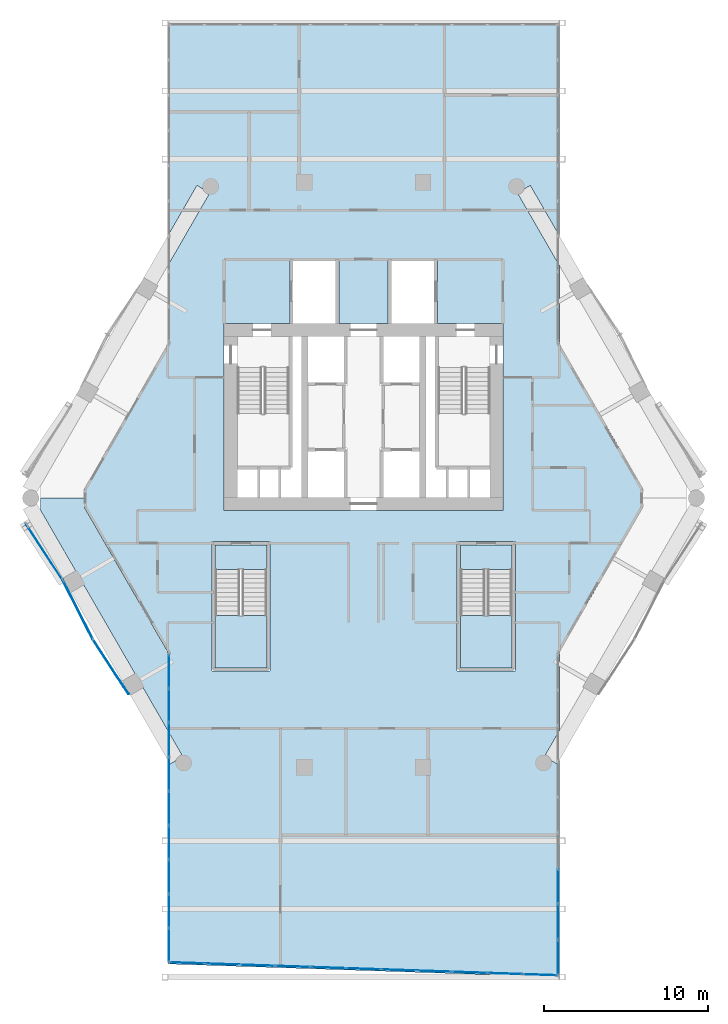
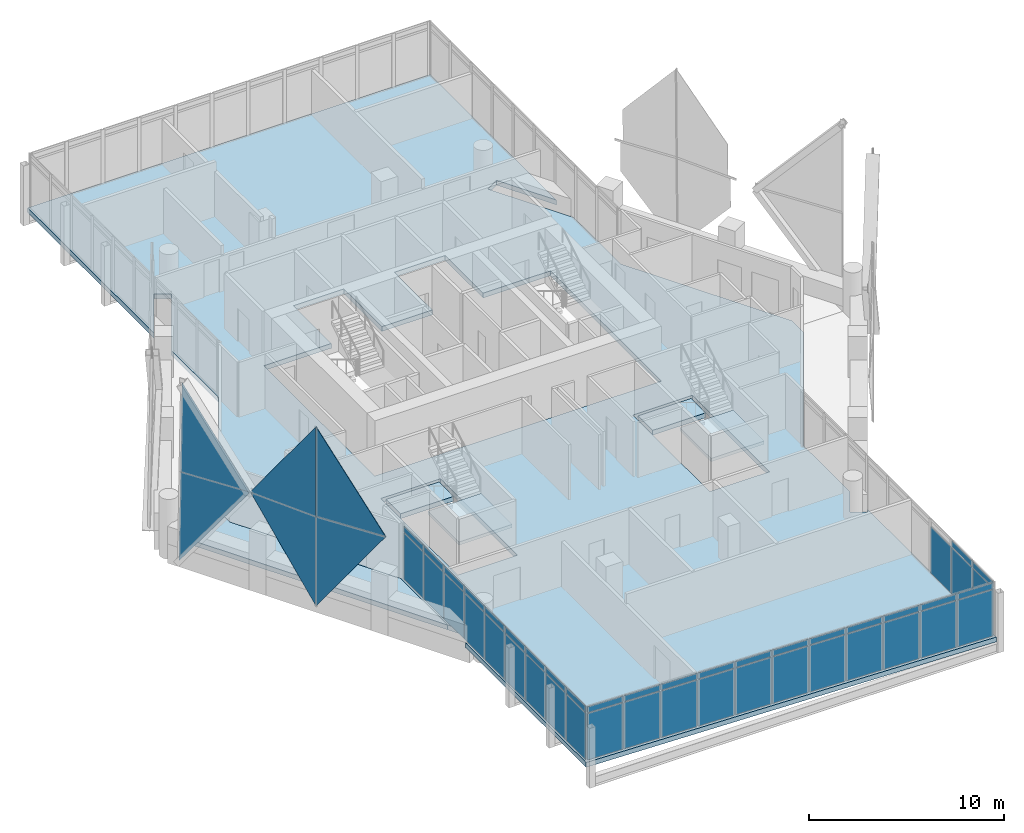
# One storey, part 26 of 37: 51 plates, 6 slabs, 9 elements without a shape of their own.
"""IFC4 building model written with IfcOpenShell, lengths in metres."""

from ifc_helpers import new_model, si_unit, direction, frame, origin, origin_2d, place, context, subcontext, project, spatial, polyline, rectangle, outline, extrude, material, layer, layer_set, type_object, element, aggregate, save


model = new_model("IFC4")

# Units and contexts
model_context = context("Model", 3, precision=1e-05, world=origin(), true_north=direction((0.0, 1.0)))
body_context = subcontext(model_context, "Body", "Model", "MODEL_VIEW")
ifc_project = project(units=[si_unit("LENGTHUNIT", "METRE"), si_unit("AREAUNIT", "SQUARE_METRE"), si_unit("VOLUMEUNIT", "CUBIC_METRE"), si_unit("PLANEANGLEUNIT", "RADIAN"), si_unit("MASSUNIT", "GRAM", prefix="KILO")], contexts=[model_context])

# Site, building, storey
site_placement = place(None, origin())
site = spatial("IfcSite", under=ifc_project, at=site_placement, CompositionType="ELEMENT")
building_placement = place(site_placement, origin())
building = spatial("IfcBuilding", under=site, at=building_placement, Name="Ostrander Bayou Hotel Tower", CompositionType="ELEMENT")
storey_placement = place(building_placement, frame((0.0, 0.0, 198.25)))
storey = spatial("IfcBuildingStorey", under=building, at=storey_placement, Name="L49", CompositionType="ELEMENT", Elevation=198.25)

# Curtain wall, plates
ifc_material_1 = material(Name="Aluminium and clear glass", Category="aluminium")
curtain_wall_type_1 = type_object("IfcCurtainWallType", Name="CW-BAR glazed wall", PredefinedType="NOTDEFINED", material=ifc_material_1)
curtain_wall_1_placement = place(storey_placement, origin())
curtain_wall_1 = element("IfcCurtainWall", 1, at=curtain_wall_1_placement, inside=storey, type_object=curtain_wall_type_1, Name="CW-BAR L49:SB4S:E", PredefinedType="NOTDEFINED")
ifc_material_2 = material(Name="Clear laminated glass", Category="glass")
ifc_layer_1 = layer(ifc_material_2, 0.028076171875)
ifc_layer_set_1 = layer_set([ifc_layer_1], Name="CW-BR glazing panel 28 mm")
plate_type_1 = type_object("IfcPlateType", Name="CW-BR glazing panel 28 mm", PredefinedType="CURTAIN_PANEL", material=ifc_layer_set_1)
plate_1_placement = place(storey_placement, frame((-11.857177734375, -11.521484375, 0.06005859375), z_axis=(0.0, 0.0, 1.0), x_axis=(0.0, -1.0, 0.0)))
plate_1 = element("IfcPlate", 2, at=plate_1_placement, type_object=plate_type_1, Name="CW-BAR panel 1.1", PredefinedType="CURTAIN_PANEL", context=body_context, shape_type="SweptSolid", body=[
    extrude(rectangle(XDim=1.997802734375, YDim=0.028076171875, at=origin_2d()), origin(), (0.0, 0.0, 1.0), 2.909912109375),
])
plate_2_placement = place(storey_placement, frame((-11.857177734375, -11.521484375, 3.02978515625), z_axis=(0.0, 0.0, 1.0), x_axis=(0.0, -1.0, 0.0)))
plate_2 = element("IfcPlate", 3, at=plate_2_placement, type_object=plate_type_1, Name="CW-BAR panel 1.2", PredefinedType="CURTAIN_PANEL", context=body_context, shape_type="SweptSolid", body=[
    extrude(rectangle(XDim=1.997802734375, YDim=0.028076171875, at=origin_2d()), origin(), (0.0, 0.0, 1.0), 0.360107421875),
])
plate_3_placement = place(storey_placement, frame((-11.857177734375, -13.59423828125, 0.06005859375), z_axis=(0.0, 0.0, 1.0), x_axis=(0.0, -1.0, 0.0)))
plate_3 = element("IfcPlate", 4, at=plate_3_placement, type_object=plate_type_1, Name="CW-BAR panel 2.1", PredefinedType="CURTAIN_PANEL", context=body_context, shape_type="SweptSolid", body=[
    extrude(rectangle(XDim=2.02783203125, YDim=0.028076171875, at=origin_2d()), origin(), (0.0, 0.0, 1.0), 2.909912109375),
])
plate_4_placement = place(storey_placement, frame((-11.857177734375, -13.59423828125, 3.02978515625), z_axis=(0.0, 0.0, 1.0), x_axis=(0.0, -1.0, 0.0)))
plate_4 = element("IfcPlate", 5, at=plate_4_placement, type_object=plate_type_1, Name="CW-BAR panel 2.2", PredefinedType="CURTAIN_PANEL", context=body_context, shape_type="SweptSolid", body=[
    extrude(rectangle(XDim=2.02783203125, YDim=0.028076171875, at=origin_2d()), origin(), (0.0, 0.0, 1.0), 0.360107421875),
])
plate_5_placement = place(storey_placement, frame((-11.857177734375, -15.68212890625, 0.06005859375), z_axis=(0.0, 0.0, 1.0), x_axis=(0.0, -1.0, 0.0)))
plate_5 = element("IfcPlate", 6, at=plate_5_placement, type_object=plate_type_1, Name="CW-BAR panel 3.1", PredefinedType="CURTAIN_PANEL", context=body_context, shape_type="SweptSolid", body=[
    extrude(rectangle(XDim=2.02783203125, YDim=0.028076171875, at=origin_2d()), origin(), (0.0, 0.0, 1.0), 2.909912109375),
])
plate_6_placement = place(storey_placement, frame((-11.857177734375, -15.68212890625, 3.02978515625), z_axis=(0.0, 0.0, 1.0), x_axis=(0.0, -1.0, 0.0)))
plate_6 = element("IfcPlate", 7, at=plate_6_placement, type_object=plate_type_1, Name="CW-BAR panel 3.2", PredefinedType="CURTAIN_PANEL", context=body_context, shape_type="SweptSolid", body=[
    extrude(rectangle(XDim=2.02783203125, YDim=0.028076171875, at=origin_2d()), origin(), (0.0, 0.0, 1.0), 0.360107421875),
])
plate_7_placement = place(storey_placement, frame((-11.857177734375, -17.769775390625, 0.06005859375), z_axis=(0.0, 0.0, 1.0), x_axis=(0.0, -1.0, 0.0)))
plate_7 = element("IfcPlate", 8, at=plate_7_placement, type_object=plate_type_1, Name="CW-BAR panel 4.1", PredefinedType="CURTAIN_PANEL", context=body_context, shape_type="SweptSolid", body=[
    extrude(rectangle(XDim=2.02783203125, YDim=0.028076171875, at=origin_2d()), origin(), (0.0, 0.0, 1.0), 2.909912109375),
])
plate_8_placement = place(storey_placement, frame((-11.857177734375, -17.769775390625, 3.02978515625), z_axis=(0.0, 0.0, 1.0), x_axis=(0.0, -1.0, 0.0)))
plate_8 = element("IfcPlate", 9, at=plate_8_placement, type_object=plate_type_1, Name="CW-BAR panel 4.2", PredefinedType="CURTAIN_PANEL", context=body_context, shape_type="SweptSolid", body=[
    extrude(rectangle(XDim=2.02783203125, YDim=0.028076171875, at=origin_2d()), origin(), (0.0, 0.0, 1.0), 0.360107421875),
])
plate_9_placement = place(storey_placement, frame((-11.857177734375, -19.857666015625, 0.06005859375), z_axis=(0.0, 0.0, 1.0), x_axis=(0.0, -1.0, 0.0)))
plate_9 = element("IfcPlate", 10, at=plate_9_placement, type_object=plate_type_1, Name="CW-BAR panel 5.1", PredefinedType="CURTAIN_PANEL", context=body_context, shape_type="SweptSolid", body=[
    extrude(rectangle(XDim=2.02783203125, YDim=0.028076171875, at=origin_2d()), origin(), (0.0, 0.0, 1.0), 2.909912109375),
])
plate_10_placement = place(storey_placement, frame((-11.857177734375, -19.857666015625, 3.02978515625), z_axis=(0.0, 0.0, 1.0), x_axis=(0.0, -1.0, 0.0)))
plate_10 = element("IfcPlate", 11, at=plate_10_placement, type_object=plate_type_1, Name="CW-BAR panel 5.2", PredefinedType="CURTAIN_PANEL", context=body_context, shape_type="SweptSolid", body=[
    extrude(rectangle(XDim=2.02783203125, YDim=0.028076171875, at=origin_2d()), origin(), (0.0, 0.0, 1.0), 0.360107421875),
])
plate_11_placement = place(storey_placement, frame((-11.857177734375, -21.9453125, 0.06005859375), z_axis=(0.0, 0.0, 1.0), x_axis=(0.0, -1.0, 0.0)))
plate_11 = element("IfcPlate", 12, at=plate_11_placement, type_object=plate_type_1, Name="CW-BAR panel 6.1", PredefinedType="CURTAIN_PANEL", context=body_context, shape_type="SweptSolid", body=[
    extrude(rectangle(XDim=2.02783203125, YDim=0.028076171875, at=origin_2d()), origin(), (0.0, 0.0, 1.0), 2.909912109375),
])
plate_12_placement = place(storey_placement, frame((-11.857177734375, -21.9453125, 3.02978515625), z_axis=(0.0, 0.0, 1.0), x_axis=(0.0, -1.0, 0.0)))
plate_12 = element("IfcPlate", 13, at=plate_12_placement, type_object=plate_type_1, Name="CW-BAR panel 6.2", PredefinedType="CURTAIN_PANEL", context=body_context, shape_type="SweptSolid", body=[
    extrude(rectangle(XDim=2.02783203125, YDim=0.028076171875, at=origin_2d()), origin(), (0.0, 0.0, 1.0), 0.360107421875),
])
plate_13_placement = place(storey_placement, frame((-11.857177734375, -24.033203125, 0.06005859375), z_axis=(0.0, 0.0, 1.0), x_axis=(0.0, -1.0, 0.0)))
plate_13 = element("IfcPlate", 14, at=plate_13_placement, type_object=plate_type_1, Name="CW-BAR panel 7.1", PredefinedType="CURTAIN_PANEL", context=body_context, shape_type="SweptSolid", body=[
    extrude(rectangle(XDim=2.02783203125, YDim=0.028076171875, at=origin_2d()), origin(), (0.0, 0.0, 1.0), 2.909912109375),
])
plate_14_placement = place(storey_placement, frame((-11.857177734375, -24.033203125, 3.02978515625), z_axis=(0.0, 0.0, 1.0), x_axis=(0.0, -1.0, 0.0)))
plate_14 = element("IfcPlate", 15, at=plate_14_placement, type_object=plate_type_1, Name="CW-BAR panel 7.2", PredefinedType="CURTAIN_PANEL", context=body_context, shape_type="SweptSolid", body=[
    extrude(rectangle(XDim=2.02783203125, YDim=0.028076171875, at=origin_2d()), origin(), (0.0, 0.0, 1.0), 0.360107421875),
])
plate_15_placement = place(storey_placement, frame((-11.857177734375, -26.120849609375, 0.06005859375), z_axis=(0.0, 0.0, 1.0), x_axis=(0.0, -1.0, 0.0)))
plate_15 = element("IfcPlate", 16, at=plate_15_placement, type_object=plate_type_1, Name="CW-BAR panel 8.1", PredefinedType="CURTAIN_PANEL", context=body_context, shape_type="SweptSolid", body=[
    extrude(rectangle(XDim=2.02783203125, YDim=0.028076171875, at=origin_2d()), origin(), (0.0, 0.0, 1.0), 2.909912109375),
])
plate_16_placement = place(storey_placement, frame((-11.857177734375, -26.120849609375, 3.02978515625), z_axis=(0.0, 0.0, 1.0), x_axis=(0.0, -1.0, 0.0)))
plate_16 = element("IfcPlate", 17, at=plate_16_placement, type_object=plate_type_1, Name="CW-BAR panel 8.2", PredefinedType="CURTAIN_PANEL", context=body_context, shape_type="SweptSolid", body=[
    extrude(rectangle(XDim=2.02783203125, YDim=0.028076171875, at=origin_2d()), origin(), (0.0, 0.0, 1.0), 0.360107421875),
])
plate_17_placement = place(storey_placement, frame((-11.857177734375, -28.193603515625, 0.06005859375), z_axis=(0.0, 0.0, 1.0), x_axis=(0.0, -1.0, 0.0)))
plate_17 = element("IfcPlate", 18, at=plate_17_placement, type_object=plate_type_1, Name="CW-BAR panel 9.1", PredefinedType="CURTAIN_PANEL", context=body_context, shape_type="SweptSolid", body=[
    extrude(rectangle(XDim=1.997802734375, YDim=0.028076171875, at=origin_2d()), origin(), (0.0, 0.0, 1.0), 2.909912109375),
])
plate_18_placement = place(storey_placement, frame((-11.857177734375, -28.193603515625, 3.02978515625), z_axis=(0.0, 0.0, 1.0), x_axis=(0.0, -1.0, 0.0)))
plate_18 = element("IfcPlate", 19, at=plate_18_placement, type_object=plate_type_1, Name="CW-BAR panel 9.2", PredefinedType="CURTAIN_PANEL", context=body_context, shape_type="SweptSolid", body=[
    extrude(rectangle(XDim=1.997802734375, YDim=0.028076171875, at=origin_2d()), origin(), (0.0, 0.0, 1.0), 0.360107421875),
])
aggregate(curtain_wall_1, [plate_1, plate_2, plate_3, plate_4, plate_5, plate_6, plate_7, plate_8, plate_9, plate_10, plate_11, plate_12, plate_13, plate_14, plate_15, plate_16, plate_17, plate_18])

curtain_wall_2_placement = place(storey_placement, origin())
curtain_wall_2 = element("IfcCurtainWall", 20, at=curtain_wall_2_placement, inside=storey, type_object=curtain_wall_type_1, Name="CW-BAR L49:SB4S:T", PredefinedType="NOTDEFINED")
plate_19_placement = place(storey_placement, frame((-10.76416015625, -29.2890625, 0.06005859375), z_axis=(0.0, 0.0, 1.0), x_axis=(0.999438546097, -0.03350511268, 0.0)))
plate_19 = element("IfcPlate", 21, at=plate_19_placement, type_object=plate_type_1, Name="CW-BAR panel 1.1", PredefinedType="CURTAIN_PANEL", context=body_context, shape_type="SweptSolid", body=[
    extrude(rectangle(XDim=2.067138671875, YDim=0.028076171875, at=origin_2d()), origin(), (0.0, 0.0, 1.0), 2.909912109375),
])
plate_20_placement = place(storey_placement, frame((-10.76416015625, -29.2890625, 3.02978515625), z_axis=(0.0, 0.0, 1.0), x_axis=(0.999438546097, -0.03350511268, 0.0)))
plate_20 = element("IfcPlate", 22, at=plate_20_placement, type_object=plate_type_1, Name="CW-BAR panel 1.2", PredefinedType="CURTAIN_PANEL", context=body_context, shape_type="SweptSolid", body=[
    extrude(rectangle(XDim=2.067138671875, YDim=0.028076171875, at=origin_2d()), origin(), (0.0, 0.0, 1.0), 0.360107421875),
])
plate_21_placement = place(storey_placement, frame((-8.62353515625, -29.36083984375, 0.06005859375), z_axis=(0.0, 0.0, 1.0), x_axis=(0.999438546097, -0.03350511268, 0.0)))
plate_21 = element("IfcPlate", 23, at=plate_21_placement, type_object=plate_type_1, Name="CW-BAR panel 2.1", PredefinedType="CURTAIN_PANEL", context=body_context, shape_type="SweptSolid", body=[
    extrude(rectangle(XDim=2.09716796875, YDim=0.028076171875, at=origin_2d()), origin(), (0.0, 0.0, 1.0), 2.909912109375),
])
plate_22_placement = place(storey_placement, frame((-8.62353515625, -29.36083984375, 3.02978515625), z_axis=(0.0, 0.0, 1.0), x_axis=(0.999438546097, -0.03350511268, 0.0)))
plate_22 = element("IfcPlate", 24, at=plate_22_placement, type_object=plate_type_1, Name="CW-BAR panel 2.2", PredefinedType="CURTAIN_PANEL", context=body_context, shape_type="SweptSolid", body=[
    extrude(rectangle(XDim=2.09716796875, YDim=0.028076171875, at=origin_2d()), origin(), (0.0, 0.0, 1.0), 0.360107421875),
])
plate_23_placement = place(storey_placement, frame((-6.467529296875, -29.43310546875, 0.06005859375), z_axis=(0.0, 0.0, 1.0), x_axis=(0.999438546097, -0.03350511268, 0.0)))
plate_23 = element("IfcPlate", 25, at=plate_23_placement, type_object=plate_type_1, Name="CW-BAR panel 3.1", PredefinedType="CURTAIN_PANEL", context=body_context, shape_type="SweptSolid", body=[
    extrude(rectangle(XDim=2.09716796875, YDim=0.028076171875, at=origin_2d()), origin(), (0.0, 0.0, 1.0), 2.909912109375),
])
plate_24_placement = place(storey_placement, frame((-6.467529296875, -29.43310546875, 3.02978515625), z_axis=(0.0, 0.0, 1.0), x_axis=(0.999438546097, -0.03350511268, 0.0)))
plate_24 = element("IfcPlate", 26, at=plate_24_placement, type_object=plate_type_1, Name="CW-BAR panel 3.2", PredefinedType="CURTAIN_PANEL", context=body_context, shape_type="SweptSolid", body=[
    extrude(rectangle(XDim=2.09716796875, YDim=0.028076171875, at=origin_2d()), origin(), (0.0, 0.0, 1.0), 0.360107421875),
])
plate_25_placement = place(storey_placement, frame((-4.311767578125, -29.50537109375, 0.06005859375), z_axis=(0.0, 0.0, 1.0), x_axis=(0.999438546097, -0.03350511268, 0.0)))
plate_25 = element("IfcPlate", 27, at=plate_25_placement, type_object=plate_type_1, Name="CW-BAR panel 4.1", PredefinedType="CURTAIN_PANEL", context=body_context, shape_type="SweptSolid", body=[
    extrude(rectangle(XDim=2.09716796875, YDim=0.028076171875, at=origin_2d()), origin(), (0.0, 0.0, 1.0), 2.909912109375),
])
plate_26_placement = place(storey_placement, frame((-4.311767578125, -29.50537109375, 3.02978515625), z_axis=(0.0, 0.0, 1.0), x_axis=(0.999438546097, -0.03350511268, 0.0)))
plate_26 = element("IfcPlate", 28, at=plate_26_placement, type_object=plate_type_1, Name="CW-BAR panel 4.2", PredefinedType="CURTAIN_PANEL", context=body_context, shape_type="SweptSolid", body=[
    extrude(rectangle(XDim=2.09716796875, YDim=0.028076171875, at=origin_2d()), origin(), (0.0, 0.0, 1.0), 0.360107421875),
])
plate_27_placement = place(storey_placement, frame((-2.15576171875, -29.57763671875, 0.06005859375), z_axis=(0.0, 0.0, 1.0), x_axis=(0.999438546097, -0.03350511268, 0.0)))
plate_27 = element("IfcPlate", 29, at=plate_27_placement, type_object=plate_type_1, Name="CW-BAR panel 5.1", PredefinedType="CURTAIN_PANEL", context=body_context, shape_type="SweptSolid", body=[
    extrude(rectangle(XDim=2.09716796875, YDim=0.028076171875, at=origin_2d()), origin(), (0.0, 0.0, 1.0), 2.909912109375),
])
plate_28_placement = place(storey_placement, frame((-2.15576171875, -29.57763671875, 3.02978515625), z_axis=(0.0, 0.0, 1.0), x_axis=(0.999438546097, -0.03350511268, 0.0)))
plate_28 = element("IfcPlate", 30, at=plate_28_placement, type_object=plate_type_1, Name="CW-BAR panel 5.2", PredefinedType="CURTAIN_PANEL", context=body_context, shape_type="SweptSolid", body=[
    extrude(rectangle(XDim=2.09716796875, YDim=0.028076171875, at=origin_2d()), origin(), (0.0, 0.0, 1.0), 0.360107421875),
])
plate_29_placement = place(storey_placement, frame((0.0, -29.64990234375, 0.06005859375), z_axis=(0.0, 0.0, 1.0), x_axis=(0.999438546097, -0.03350511268, 0.0)))
plate_29 = element("IfcPlate", 31, at=plate_29_placement, type_object=plate_type_1, Name="CW-BAR panel 6.1", PredefinedType="CURTAIN_PANEL", context=body_context, shape_type="SweptSolid", body=[
    extrude(rectangle(XDim=2.09716796875, YDim=0.028076171875, at=origin_2d()), origin(), (0.0, 0.0, 1.0), 2.909912109375),
])
plate_30_placement = place(storey_placement, frame((0.0, -29.64990234375, 3.02978515625), z_axis=(0.0, 0.0, 1.0), x_axis=(0.999438546097, -0.03350511268, 0.0)))
plate_30 = element("IfcPlate", 32, at=plate_30_placement, type_object=plate_type_1, Name="CW-BAR panel 6.2", PredefinedType="CURTAIN_PANEL", context=body_context, shape_type="SweptSolid", body=[
    extrude(rectangle(XDim=2.09716796875, YDim=0.028076171875, at=origin_2d()), origin(), (0.0, 0.0, 1.0), 0.360107421875),
])
plate_31_placement = place(storey_placement, frame((2.15576171875, -29.72216796875, 0.06005859375), z_axis=(0.0, 0.0, 1.0), x_axis=(0.999438546097, -0.03350511268, 0.0)))
plate_31 = element("IfcPlate", 33, at=plate_31_placement, type_object=plate_type_1, Name="CW-BAR panel 7.1", PredefinedType="CURTAIN_PANEL", context=body_context, shape_type="SweptSolid", body=[
    extrude(rectangle(XDim=2.09716796875, YDim=0.028076171875, at=origin_2d()), origin(), (0.0, 0.0, 1.0), 2.909912109375),
])
plate_32_placement = place(storey_placement, frame((2.15576171875, -29.72216796875, 3.02978515625), z_axis=(0.0, 0.0, 1.0), x_axis=(0.999438546097, -0.03350511268, 0.0)))
plate_32 = element("IfcPlate", 34, at=plate_32_placement, type_object=plate_type_1, Name="CW-BAR panel 7.2", PredefinedType="CURTAIN_PANEL", context=body_context, shape_type="SweptSolid", body=[
    extrude(rectangle(XDim=2.09716796875, YDim=0.028076171875, at=origin_2d()), origin(), (0.0, 0.0, 1.0), 0.360107421875),
])
plate_33_placement = place(storey_placement, frame((4.311767578125, -29.79443359375, 0.06005859375), z_axis=(0.0, 0.0, 1.0), x_axis=(0.999438546097, -0.03350511268, 0.0)))
plate_33 = element("IfcPlate", 35, at=plate_33_placement, type_object=plate_type_1, Name="CW-BAR panel 8.1", PredefinedType="CURTAIN_PANEL", context=body_context, shape_type="SweptSolid", body=[
    extrude(rectangle(XDim=2.09716796875, YDim=0.028076171875, at=origin_2d()), origin(), (0.0, 0.0, 1.0), 2.909912109375),
])
plate_34_placement = place(storey_placement, frame((4.311767578125, -29.79443359375, 3.02978515625), z_axis=(0.0, 0.0, 1.0), x_axis=(0.999438546097, -0.03350511268, 0.0)))
plate_34 = element("IfcPlate", 36, at=plate_34_placement, type_object=plate_type_1, Name="CW-BAR panel 8.2", PredefinedType="CURTAIN_PANEL", context=body_context, shape_type="SweptSolid", body=[
    extrude(rectangle(XDim=2.09716796875, YDim=0.028076171875, at=origin_2d()), origin(), (0.0, 0.0, 1.0), 0.360107421875),
])
plate_35_placement = place(storey_placement, frame((6.467529296875, -29.86669921875, 0.06005859375), z_axis=(0.0, 0.0, 1.0), x_axis=(0.999438546097, -0.03350511268, 0.0)))
plate_35 = element("IfcPlate", 37, at=plate_35_placement, type_object=plate_type_1, Name="CW-BAR panel 9.1", PredefinedType="CURTAIN_PANEL", context=body_context, shape_type="SweptSolid", body=[
    extrude(rectangle(XDim=2.09716796875, YDim=0.028076171875, at=origin_2d()), origin(), (0.0, 0.0, 1.0), 2.909912109375),
])
plate_36_placement = place(storey_placement, frame((6.467529296875, -29.86669921875, 3.02978515625), z_axis=(0.0, 0.0, 1.0), x_axis=(0.999438546097, -0.03350511268, 0.0)))
plate_36 = element("IfcPlate", 38, at=plate_36_placement, type_object=plate_type_1, Name="CW-BAR panel 9.2", PredefinedType="CURTAIN_PANEL", context=body_context, shape_type="SweptSolid", body=[
    extrude(rectangle(XDim=2.09716796875, YDim=0.028076171875, at=origin_2d()), origin(), (0.0, 0.0, 1.0), 0.360107421875),
])
plate_37_placement = place(storey_placement, frame((8.62353515625, -29.939208984375, 0.06005859375), z_axis=(0.0, 0.0, 1.0), x_axis=(0.999438546097, -0.03350511268, 0.0)))
plate_37 = element("IfcPlate", 39, at=plate_37_placement, type_object=plate_type_1, Name="CW-BAR panel 10.1", PredefinedType="CURTAIN_PANEL", context=body_context, shape_type="SweptSolid", body=[
    extrude(rectangle(XDim=2.09716796875, YDim=0.028076171875, at=origin_2d()), origin(), (0.0, 0.0, 1.0), 2.909912109375),
])
plate_38_placement = place(storey_placement, frame((8.62353515625, -29.939208984375, 3.02978515625), z_axis=(0.0, 0.0, 1.0), x_axis=(0.999438546097, -0.03350511268, 0.0)))
plate_38 = element("IfcPlate", 40, at=plate_38_placement, type_object=plate_type_1, Name="CW-BAR panel 10.2", PredefinedType="CURTAIN_PANEL", context=body_context, shape_type="SweptSolid", body=[
    extrude(rectangle(XDim=2.09716796875, YDim=0.028076171875, at=origin_2d()), origin(), (0.0, 0.0, 1.0), 0.360107421875),
])
plate_39_placement = place(storey_placement, frame((10.76416015625, -30.0107421875, 0.06005859375), z_axis=(0.0, 0.0, 1.0), x_axis=(0.999438546097, -0.03350511268, 0.0)))
plate_39 = element("IfcPlate", 41, at=plate_39_placement, type_object=plate_type_1, Name="CW-BAR panel 11.1", PredefinedType="CURTAIN_PANEL", context=body_context, shape_type="SweptSolid", body=[
    extrude(rectangle(XDim=2.067138671875, YDim=0.028076171875, at=origin_2d()), origin(), (0.0, 0.0, 1.0), 2.909912109375),
])
plate_40_placement = place(storey_placement, frame((10.76416015625, -30.0107421875, 3.02978515625), z_axis=(0.0, 0.0, 1.0), x_axis=(0.999438546097, -0.03350511268, 0.0)))
plate_40 = element("IfcPlate", 42, at=plate_40_placement, type_object=plate_type_1, Name="CW-BAR panel 11.2", PredefinedType="CURTAIN_PANEL", context=body_context, shape_type="SweptSolid", body=[
    extrude(rectangle(XDim=2.067138671875, YDim=0.028076171875, at=origin_2d()), origin(), (0.0, 0.0, 1.0), 0.360107421875),
])
aggregate(curtain_wall_2, [plate_19, plate_20, plate_21, plate_22, plate_23, plate_24, plate_25, plate_26, plate_27, plate_28, plate_29, plate_30, plate_31, plate_32, plate_33, plate_34, plate_35, plate_36, plate_37, plate_38, plate_39, plate_40])

curtain_wall_3_placement = place(storey_placement, origin())
curtain_wall_3 = element("IfcCurtainWall", 43, at=curtain_wall_3_placement, inside=storey, type_object=curtain_wall_type_1, Name="CW-BAR L49:SB4S:W", PredefinedType="NOTDEFINED")
plate_41_placement = place(storey_placement, frame((11.857177734375, -24.607177734375, 0.06005859375), z_axis=(0.0, 0.0, 1.0), x_axis=(0.0, -1.0, 0.0)))
plate_41 = element("IfcPlate", 44, at=plate_41_placement, type_object=plate_type_1, Name="CW-BAR panel 7.1", PredefinedType="CURTAIN_PANEL", context=body_context, shape_type="SweptSolid", body=[
    extrude(rectangle(XDim=2.1162109375, YDim=0.028076171875, at=origin_2d()), origin(), (0.0, 0.0, 1.0), 2.909912109375),
])
plate_42_placement = place(storey_placement, frame((11.857177734375, -26.783447265625, 0.06005859375), z_axis=(0.0, 0.0, 1.0), x_axis=(0.0, -1.0, 0.0)))
plate_42 = element("IfcPlate", 45, at=plate_42_placement, type_object=plate_type_1, Name="CW-BAR panel 8.1", PredefinedType="CURTAIN_PANEL", context=body_context, shape_type="SweptSolid", body=[
    extrude(rectangle(XDim=2.1162109375, YDim=0.028076171875, at=origin_2d()), origin(), (0.0, 0.0, 1.0), 2.909912109375),
])
plate_43_placement = place(storey_placement, frame((11.857177734375, -26.783447265625, 3.02978515625), z_axis=(0.0, 0.0, 1.0), x_axis=(0.0, -1.0, 0.0)))
plate_43 = element("IfcPlate", 46, at=plate_43_placement, type_object=plate_type_1, Name="CW-BAR panel 8.2", PredefinedType="CURTAIN_PANEL", context=body_context, shape_type="SweptSolid", body=[
    extrude(rectangle(XDim=2.1162109375, YDim=0.028076171875, at=origin_2d()), origin(), (0.0, 0.0, 1.0), 0.360107421875),
])
plate_44_placement = place(storey_placement, frame((11.857177734375, -28.9443359375, 0.06005859375), z_axis=(0.0, 0.0, 1.0), x_axis=(0.0, -1.0, 0.0)))
plate_44 = element("IfcPlate", 47, at=plate_44_placement, type_object=plate_type_1, Name="CW-BAR panel 9.1", PredefinedType="CURTAIN_PANEL", context=body_context, shape_type="SweptSolid", body=[
    extrude(rectangle(XDim=2.086181640625, YDim=0.028076171875, at=origin_2d()), origin(), (0.0, 0.0, 1.0), 2.909912109375),
])
plate_45_placement = place(storey_placement, frame((11.857177734375, -28.9443359375, 3.02978515625), z_axis=(0.0, 0.0, 1.0), x_axis=(0.0, -1.0, 0.0)))
plate_45 = element("IfcPlate", 48, at=plate_45_placement, type_object=plate_type_1, Name="CW-BAR panel 9.2", PredefinedType="CURTAIN_PANEL", context=body_context, shape_type="SweptSolid", body=[
    extrude(rectangle(XDim=2.086181640625, YDim=0.028076171875, at=origin_2d()), origin(), (0.0, 0.0, 1.0), 0.360107421875),
])
aggregate(curtain_wall_3, [plate_41, plate_42, plate_43, plate_44, plate_45])

# Curtain wall, plate
ifc_material_3 = material(Name="Aluminium and clear glass", Category="aluminium")
curtain_wall_type_2 = type_object("IfcCurtainWallType", Name="CW-LAT lattice glazing", PredefinedType="NOTDEFINED", material=ifc_material_3)
curtain_wall_4_placement = place(storey_placement, origin())
curtain_wall_4 = element("IfcCurtainWall", 49, at=curtain_wall_4_placement, inside=storey, type_object=curtain_wall_type_2, Name="CW-LAT L49 SW 3", PredefinedType="NOTDEFINED")
ifc_material_4 = material(Name="Clear laminated glass", Category="glass")
ifc_layer_2 = layer(ifc_material_4, 0.028076171875)
ifc_layer_set_2 = layer_set([ifc_layer_2], Name="CW-LA glazing panel 28 mm")
plate_type_2 = type_object("IfcPlateType", Name="CW-LA glazing panel 28 mm", PredefinedType="CURTAIN_PANEL", material=ifc_layer_set_2)
plate_46_placement = place(storey_placement, frame((-18.337890625, -5.952392578125, 5.02490234375), z_axis=(0.838358643032, 0.54511836711, 0.000866886989), x_axis=(-0.321216422171, 0.495294773329, -0.807157418129)))
plate_46 = element("IfcPlate", 50, at=plate_46_placement, type_object=plate_type_2, Name="CW-LAT panel 1", PredefinedType="CURTAIN_PANEL", context=body_context, shape_type="SweptSolid", body=[
    extrude(outline(polyline([(0.0, 0.0), (6.968900828589583, 0.0), (2.37291776007055, 3.2444563559334645), (0.0, 0.0)])), origin(), (0.0, 0.0, -1.0), 0.028076171875),
])

curtain_wall_5_placement = place(storey_placement, origin())
curtain_wall_5 = element("IfcCurtainWall", 51, at=curtain_wall_5_placement, inside=storey, type_object=curtain_wall_type_2, Name="CW-LAT L49 SW 4", PredefinedType="NOTDEFINED")
plate_47_placement = place(storey_placement, frame((-18.337890625, -5.952392578125, 5.02490234375), z_axis=(0.838358616032, 0.545118349554, 0.000903274054), x_axis=(-0.312577731649, 0.479366532663, 0.82006273482)))
plate_47 = element("IfcPlate", 52, at=plate_47_placement, type_object=plate_type_2, Name="CW-LAT panel 2", PredefinedType="CURTAIN_PANEL", context=body_context, shape_type="SweptSolid", body=[
    extrude(outline(polyline([(0.0, 0.0), (6.8592313260475155, 0.0), (2.3003128398176944, -3.296330775359953), (0.0, 0.0)])), origin(), (0.0, 0.0, -1.0), 0.028076171875),
])

curtain_wall_6_placement = place(storey_placement, origin())
curtain_wall_6 = element("IfcCurtainWall", 53, at=curtain_wall_6_placement, inside=storey, type_object=curtain_wall_type_2, Name="CW-LAT L49 SW 1", PredefinedType="NOTDEFINED")
plate_48_placement = place(storey_placement, frame((-18.337890625, -5.952392578125, 5.02490234375), z_axis=(-0.891271140075, -0.453470787229, 0.0), x_axis=(0.263648577875, -0.518186342317, -0.813616827518)))
plate_48 = element("IfcPlate", 54, at=plate_48_placement, type_object=plate_type_2, Name="CW-LAT panel 3", PredefinedType="CURTAIN_PANEL", context=body_context, shape_type="SweptSolid", body=[
    extrude(outline(polyline([(0.0, 0.0), (6.913573822165882, -4.440892098500626e-16), (2.3369791673788387, 3.2703832139024116), (0.0, 0.0)])), origin(), (0.0, 0.0, -1.0), 0.028076171875),
])
aggregate(curtain_wall_6, [plate_48])

curtain_wall_7_placement = place(storey_placement, origin())
curtain_wall_7 = element("IfcCurtainWall", 55, at=curtain_wall_7_placement, inside=storey, type_object=curtain_wall_type_2, Name="CW-LAT L49 SW 2", PredefinedType="NOTDEFINED")
plate_49_placement = place(storey_placement, frame((-18.337890625, -5.952392578125, 5.02490234375), z_axis=(0.891271140075, 0.453470787229, 0.0), x_axis=(0.263648577875, -0.518186342317, 0.813616827518)))
plate_49 = element("IfcPlate", 56, at=plate_49_placement, type_object=plate_type_2, Name="CW-LAT panel 4", PredefinedType="CURTAIN_PANEL", context=body_context, shape_type="SweptSolid", body=[
    extrude(outline(polyline([(0.0, 0.0), (6.913573822165882, -4.440892098500626e-16), (2.3369791673788387, 3.2703832139024116), (0.0, 0.0)])), origin(), (0.0, 0.0, -1.0), 0.028076171875),
])
aggregate(curtain_wall_7, [plate_49])

# Plate
plate_50_placement = place(storey_placement, frame((-14.32373046875, -12.90478515625, 5.02490234375), z_axis=(0.838331200556, 0.545161258871, 0.0), x_axis=(-0.316966821861, 0.487421239098, -0.813604676434)))
plate_50 = element("IfcPlate", 57, at=plate_50_placement, type_object=plate_type_2, Name="CW-LAT panel 5", PredefinedType="CURTAIN_PANEL", context=body_context, shape_type="SweptSolid", body=[
    extrude(outline(polyline([(0.0, 0.0), (6.913677075521655, 4.440892098500626e-16), (2.337150770579558, 3.270478860988562), (0.0, 0.0)])), origin(), (0.0, 0.0, -1.0), 0.028076171875),
])

aggregate(curtain_wall_4, [plate_46, plate_50])

plate_51_placement = place(storey_placement, frame((-14.32373046875, -12.90478515625, 5.02490234375), z_axis=(-0.838331200556, -0.545161258871, 0.0), x_axis=(-0.316966821861, 0.487421239098, 0.813604676434)))
plate_51 = element("IfcPlate", 58, at=plate_51_placement, type_object=plate_type_2, Name="CW-LAT panel 6", PredefinedType="CURTAIN_PANEL", context=body_context, shape_type="SweptSolid", body=[
    extrude(outline(polyline([(0.0, 0.0), (6.913677075521655, 4.440892098500626e-16), (2.337150770579558, 3.270478860988562), (0.0, 0.0)])), origin(), (0.0, 0.0, -1.0), 0.028076171875),
])

aggregate(curtain_wall_5, [plate_47, plate_51])

# Slabs
ifc_material_5 = material(Name="Concrete f'c 40 MPa", Category="concrete")
ifc_layer_3 = layer(ifc_material_5, 0.300048828125)
ifc_layer_set_3 = layer_set([ifc_layer_3], Name="SL1 floor slab 300 mm f'c 40 MPa")
slab_type_1 = type_object("IfcSlabType", Name="SL1 floor slab 300 mm f'c 40 MPa", PredefinedType="FLOOR", material=ifc_layer_set_3)
slab_1_placement = place(storey_placement, frame((0.0, 0.0, -0.300048828125)))
element("IfcSlab", 59, at=slab_1_placement, inside=storey, type_object=slab_type_1, Name="SL1 L49 1", PredefinedType="FLOOR", context=body_context, shape_type="SweptSolid", body=[
    extrude(outline(polyline([(-11.80322265625, -17.156005859375), (-11.02392578125, -16.7060546875), (-11.93212890625, -15.1328125), (-11.93212890625, -10.332763671875), (-17.00341796875, -1.54931640625), (-17.00341796875, -0.34912109375), (-11.93212890625, 8.4345703125), (-11.93212890625, 13.234619140625), (-9.3798828125, 17.6552734375), (-10.1591796875, 18.105224609375), (-11.93212890625, 15.034423828125), (-11.93212890625, 28.01611328125), (11.93212890625, 28.01611328125), (11.93212890625, 15.034423828125), (10.1591796875, 18.105224609375), (9.3798828125, 17.6552734375), (11.93212890625, 13.234619140625), (11.93212890625, 8.4345703125), (17.00341796875, -0.34912109375), (17.00341796875, -1.54931640625), (11.93212890625, -10.332763671875), (11.93212890625, -15.1328125), (11.02392578125, -16.7060546875), (11.80322265625, -17.156005859375), (11.93212890625, -16.932861328125), (11.93212890625, -30.14990234375), (-11.93212890625, -29.35009765625), (-11.93212890625, -16.932861328125), (-11.80322265625, -17.156005859375)]), holes=[polyline([(9.25, -3.60009765625), (5.699951171875, -3.60009765625), (5.699951171875, -11.5), (9.25, -11.5), (9.25, -3.60009765625)]), polyline([(-8.5, -1.699951171875), (8.5, -1.699951171875), (8.5, 9.699951171875), (4.5, 9.699951171875), (4.5, 13.60009765625), (1.5, 13.60009765625), (1.5, 9.699951171875), (-1.5, 9.699951171875), (-1.5, 13.60009765625), (-4.5, 13.60009765625), (-4.5, 9.699951171875), (-8.5, 9.699951171875), (-8.5, -1.699951171875)]), polyline([(-5.699951171875, -3.60009765625), (-9.25, -3.60009765625), (-9.25, -11.5), (-5.699951171875, -11.5), (-5.699951171875, -3.60009765625)])]), origin(), (0.0, 0.0, 1.0), 0.300048828125),
])
slab_2_placement = place(storey_placement, frame((0.0, 0.0, -0.300048828125)))
element("IfcSlab", 60, at=slab_2_placement, inside=storey, type_object=slab_type_1, Name="cslab:L49:004", PredefinedType="FLOOR", context=body_context, shape_type="SweptSolid", body=[
    extrude(outline(polyline([(9.050048828125, -5.300048828125), (9.050048828125, -3.800048828125), (5.89990234375, -3.800048828125), (5.89990234375, -5.300048828125), (9.050048828125, -5.300048828125)])), origin(), (0.0, 0.0, 1.0), 0.300048828125),
])
slab_3_placement = place(storey_placement, frame((0.0, 0.0, -0.300048828125)))
element("IfcSlab", 61, at=slab_3_placement, inside=storey, type_object=slab_type_1, Name="cslab:L49:005", PredefinedType="FLOOR", context=body_context, shape_type="SweptSolid", body=[
    extrude(outline(polyline([(-5.89990234375, -5.300048828125), (-5.89990234375, -3.800048828125), (-9.050048828125, -3.800048828125), (-9.050048828125, -5.300048828125), (-5.89990234375, -5.300048828125)])), origin(), (0.0, 0.0, 1.0), 0.300048828125),
])
ifc_material_6 = material(Name="Concrete f'c 40 MPa", Category="concrete")
ifc_layer_4 = layer(ifc_material_6, 0.300048828125)
ifc_layer_set_4 = layer_set([ifc_layer_4], Name="SL4 loggia slab 300 mm f'c 40 MPa")
slab_type_2 = type_object("IfcSlabType", Name="SL4 loggia slab 300 mm f'c 40 MPa", PredefinedType="FLOOR", material=ifc_layer_set_4)
slab_4_placement = place(storey_placement, frame((0.0, 0.0, -0.300048828125)))
element("IfcSlab", 62, at=slab_4_placement, inside=storey, type_object=slab_type_2, Name="SL4 LOGGIA L49 SW 1", PredefinedType="FLOOR", context=body_context, shape_type="SweptSolid", body=[
    extrude(outline(polyline([(-11.93212890625, -11.873046875), (-11.93212890625, -15.1328125), (-13.457763671875, -12.490478515625), (-13.927734375, -11.67626953125), (-17.075927734375, -6.2236328125), (-17.5458984375, -5.40966796875), (-19.538818359375, -1.9580078125), (-19.68798828125, -1.69921875), (-19.68798828125, -0.94921875), (-17.00341796875, -0.94921875), (-17.00341796875, -1.54931640625), (-11.93212890625, -10.332763671875), (-11.93212890625, -11.873046875)])), origin(), (0.0, 0.0, 1.0), 0.300048828125),
])

# Stair, slab
ifc_material_7 = material(Name="Concrete f'c 45 MPa", Category="concrete")
stair_type = type_object("IfcStairType", Name="ST1 exit stair 1500 mm f'c 45 MPa", PredefinedType="HALF_TURN_STAIR", material=ifc_material_7)
stair_1_placement = place(storey_placement, origin())
stair_1 = element("IfcStair", 63, at=stair_1_placement, inside=storey, type_object=stair_type, Name="L49 exit stair C", PredefinedType="HALF_TURN_STAIR")
ifc_material_8 = material(Name="Concrete f'c 45 MPa", Category="concrete")
ifc_layer_5 = layer(ifc_material_8, 0.199951171875)
ifc_layer_set_5 = layer_set([ifc_layer_5], Name="SL8 stair landing 200 mm f'c 45 MPa")
slab_type_3 = type_object("IfcSlabType", Name="SL8 stair landing 200 mm f'c 45 MPa", PredefinedType="LANDING", material=ifc_layer_set_5)
slab_5_placement = place(storey_placement, frame((0.0, 0.0, 1.675048828125)))
slab_5 = element("IfcSlab", 64, at=slab_5_placement, type_object=slab_type_3, Name="STC landing 1", PredefinedType="LANDING", context=body_context, shape_type="SweptSolid", body=[
    extrude(outline(polyline([(5.89990234375, -8.10009765625), (5.89990234375, -11.300048828125), (9.050048828125, -11.300048828125), (9.050048828125, -8.10009765625), (5.89990234375, -8.10009765625)])), origin(), (0.0, 0.0, 1.0), 0.199951171875),
])
aggregate(stair_1, [slab_5])

stair_2_placement = place(storey_placement, origin())
stair_2 = element("IfcStair", 65, at=stair_2_placement, inside=storey, type_object=stair_type, Name="L49 exit stair D", PredefinedType="HALF_TURN_STAIR")
slab_6_placement = place(storey_placement, frame((0.0, 0.0, 1.675048828125)))
slab_6 = element("IfcSlab", 66, at=slab_6_placement, type_object=slab_type_3, Name="STD landing 1", PredefinedType="LANDING", context=body_context, shape_type="SweptSolid", body=[
    extrude(outline(polyline([(-9.050048828125, -8.10009765625), (-9.050048828125, -11.300048828125), (-5.89990234375, -11.300048828125), (-5.89990234375, -8.10009765625), (-9.050048828125, -8.10009765625)])), origin(), (0.0, 0.0, 1.0), 0.199951171875),
])
aggregate(stair_2, [slab_6])

save(model, "model.ifc")
